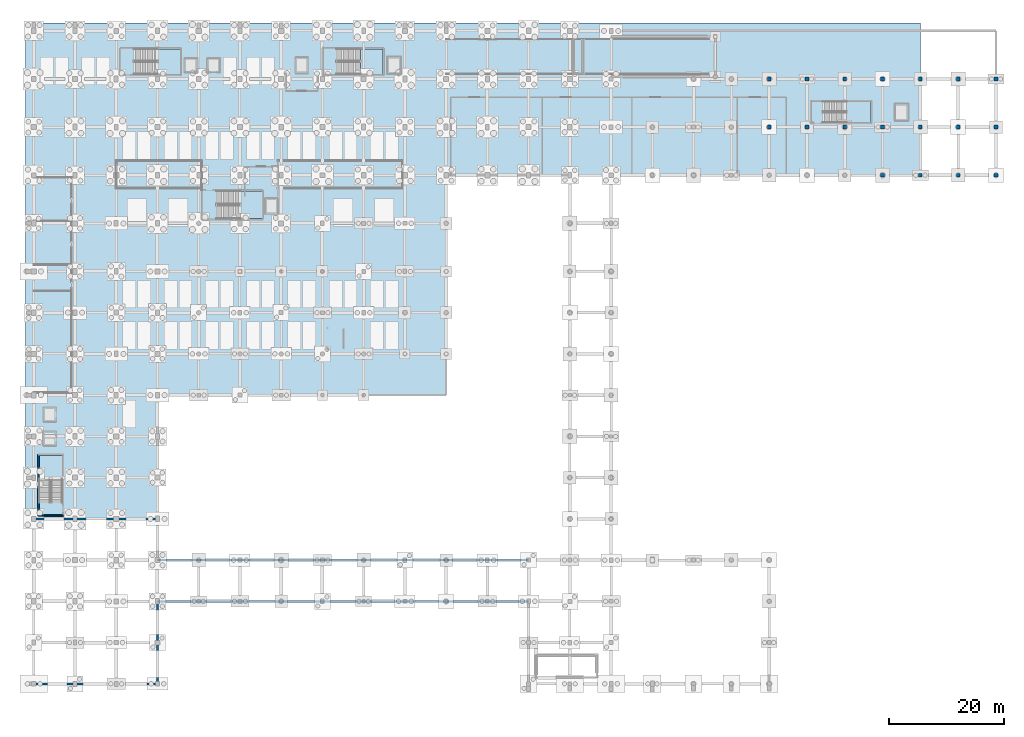
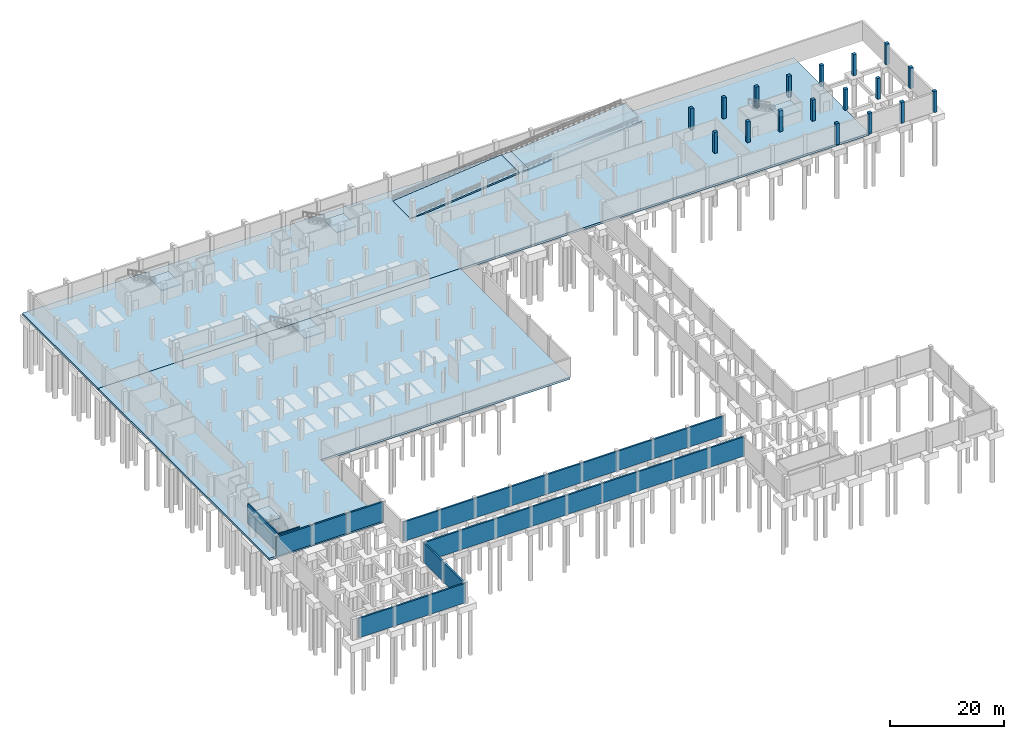
# One storey, part 19 of 35: 18 columns, 10 slabs, 7 walls, 5 elements without a shape of their own.
"""IFC4 building model written with IfcOpenShell, lengths in metres."""

from ifc_helpers import new_model, si_unit, direction, frame, frame_2d, origin, origin_2d, place, context, subcontext, project, spatial, polyline, rectangle, outline, extrude, material, layer, layer_set, material_profile, profile_set, type_object, element, aggregate, save


model = new_model("IFC4")

# Units and contexts
model_context = context("Model", 3, precision=1e-05, world=origin(), true_north=direction((0.0, 1.0)))
body_context = subcontext(model_context, "Body", "Model", "MODEL_VIEW")
ifc_project = project(units=[si_unit("LENGTHUNIT", "METRE"), si_unit("AREAUNIT", "SQUARE_METRE"), si_unit("VOLUMEUNIT", "CUBIC_METRE"), si_unit("PLANEANGLEUNIT", "RADIAN"), si_unit("MASSUNIT", "GRAM", prefix="KILO")], contexts=[model_context])

# Site, building, storey
site_placement = place(None, origin())
site = spatial("IfcSite", under=ifc_project, at=site_placement, CompositionType="ELEMENT")
building_placement = place(site_placement, origin())
building = spatial("IfcBuilding", under=site, at=building_placement, Name="Kalluvel Institute of Natural Sciences", CompositionType="ELEMENT")
storey_placement = place(building_placement, frame((0.0, 0.0, -4.5)))
storey = spatial("IfcBuildingStorey", under=building, at=storey_placement, Name="B1", CompositionType="ELEMENT", Elevation=-4.5)

# Columns
ifc_material = material(Name="Concrete M40", Category="concrete")
ifc_material_profile = material_profile(ifc_material, rectangle(XDim=0.64990234375, YDim=0.64990234375, at=origin_2d()), Name="RC 650x650")
ifc_profile_set = profile_set([ifc_material_profile], Name="Concrete M40")
column_type = type_object("IfcColumnType", Name="COL-RC650", PredefinedType="COLUMN", material=ifc_profile_set)
for number, where, z_axis, x_axis, name in (
    (1, (142.39990234375, 111.199951171875, 0.0), (0.0, 0.0, 1.0), (1.0, 0.0, 0.0), "B1 structural column COL-B1-X1424-Y1112"),
    (2, (142.39990234375, 119.60009765625, 0.0), (0.0, 0.0, 1.0), (1.0, 0.0, 0.0), "B1 structural column COL-B1-X1424-Y1196"),
    (3, (149.0, 111.199951171875, 0.0), (0.0, 0.0, 1.0), (1.0, 0.0, 0.0), "B1 structural column COL-B1-X1490-Y1112"),
    (4, (149.0, 119.60009765625, 0.0), (0.0, 0.0, 1.0), (1.0, 0.0, 0.0), "B1 structural column COL-B1-X1490-Y1196"),
    (5, (155.60009765625, 111.199951171875, 0.0), (0.0, 0.0, 1.0), (1.0, 0.0, 0.0), "B1 structural column COL-B1-X1556-Y1112"),
    (6, (155.60009765625, 119.60009765625, 0.0), (0.0, 0.0, 1.0), (1.0, 0.0, 0.0), "B1 structural column COL-B1-X1556-Y1196"),
    (7, (162.199951171875, 102.800048828125, 0.0), (0.0, 0.0, 1.0), (1.0, 0.0, 0.0), "B1 structural column COL-B1-X1622-Y1028"),
    (8, (162.199951171875, 111.199951171875, 0.0), (0.0, 0.0, 1.0), (1.0, 0.0, 0.0), "B1 structural column COL-B1-X1622-Y1112"),
    (9, (162.199951171875, 119.60009765625, 0.0), (0.0, 0.0, 1.0), (1.0, 0.0, 0.0), "B1 structural column COL-B1-X1622-Y1196"),
    (10, (168.800048828125, 102.800048828125, 0.0), (0.0, 0.0, 1.0), (1.0, 0.0, 0.0), "B1 structural column COL-B1-X1688-Y1028"),
    (11, (168.800048828125, 111.199951171875, 0.0), (0.0, 0.0, 1.0), (1.0, 0.0, 0.0), "B1 structural column COL-B1-X1688-Y1112"),
    (12, (168.800048828125, 119.60009765625, 0.0), (0.0, 0.0, 1.0), (1.0, 0.0, 0.0), "B1 structural column COL-B1-X1688-Y1196"),
    (13, (175.39990234375, 102.800048828125, 0.0), (0.0, 0.0, 1.0), (1.0, 0.0, 0.0), "B1 structural column COL-B1-X1754-Y1028"),
    (14, (175.39990234375, 111.199951171875, 0.0), (0.0, 0.0, 1.0), (1.0, 0.0, 0.0), "B1 structural column COL-B1-X1754-Y1112"),
    (15, (175.39990234375, 119.60009765625, 0.0), (0.0, 0.0, 1.0), (1.0, 0.0, 0.0), "B1 structural column COL-B1-X1754-Y1196"),
    (16, (182.0, 102.800048828125, 0.0), (0.0, 0.0, 1.0), (1.0, 0.0, 0.0), "B1 structural column COL-B1-X1820-Y1028"),
    (17, (182.0, 111.199951171875, 0.0), (0.0, 0.0, 1.0), (1.0, 0.0, 0.0), "B1 structural column COL-B1-X1820-Y1112"),
    (18, (182.0, 119.60009765625, 0.0), (0.0, 0.0, 1.0), (1.0, 0.0, 0.0), "B1 structural column COL-B1-X1820-Y1196"),
):
    element("IfcColumn", number, at=place(storey_placement, frame(where, z_axis=z_axis, x_axis=x_axis)), inside=storey, type_object=column_type, Name=name, PredefinedType="COLUMN", context=body_context, shape_type="SweptSolid", body=[
        extrude(rectangle(XDim=0.64990234375, YDim=0.64990234375, at=origin_2d()), origin(), (0.0, 0.0, 1.0), 4.5),
    ])

# Slabs
ifc_layer_1 = layer(ifc_material, 0.300048828125)
ifc_layer_set_1 = layer_set([ifc_layer_1], Name="Concrete M40")
slab_type_1 = type_object("IfcSlabType", Name="RML-VEH-300", PredefinedType="LANDING", material=ifc_layer_set_1)
slab_1_placement = place(storey_placement, frame((0.0, 0.0, 1.89990234375)))
element("IfcSlab", 19, at=slab_1_placement, inside=storey, type_object=slab_type_1, Name="Car park vehicle ramp RV-01 mid-landing slab 1", PredefinedType="LANDING", context=body_context, shape_type="SweptSolid", body=[
    extrude(outline(polyline([(107.969970703125, 120.39990234375), (110.030029296875, 120.39990234375), (110.030029296875, 126.60009765625), (107.969970703125, 126.60009765625), (107.969970703125, 120.39990234375)])), origin(), (0.0, 0.0, 1.0), 0.300048828125),
])
ifc_layer_2 = layer(ifc_material, 0.449951171875)
ifc_layer_set_2 = layer_set([ifc_layer_2], Name="Concrete M40")
slab_type_2 = type_object("IfcSlabType", Name="SLB-BASE-450", PredefinedType="BASESLAB", material=ifc_layer_set_2)
slab_2_placement = place(storey_placement, frame((0.0, 0.0, -0.449951171875)))
element("IfcSlab", 20, at=slab_2_placement, inside=storey, type_object=slab_type_2, Name="B1 North Wet-Wing and Sub-Fab Base Slab", PredefinedType="BASESLAB", context=body_context, shape_type="SweptSolid", body=[
    extrude(outline(polyline([(12.60009765625, 102.800048828125), (168.800048828125, 102.800048828125), (168.800048828125, 129.39990234375), (12.60009765625, 129.39990234375), (12.60009765625, 102.800048828125)])), origin(), (0.0, 0.0, 1.0), 0.449951171875),
])
slab_3_placement = place(storey_placement, frame((0.0, 0.0, -0.449951171875)))
element("IfcSlab", 21, at=slab_3_placement, inside=storey, type_object=slab_type_2, Name="B1 Dry-Wing and Atrium Base Slab", PredefinedType="BASESLAB", context=body_context, shape_type="SweptSolid", body=[
    extrude(outline(polyline([(35.60009765625, 42.800048828125), (12.60009765625, 42.800048828125), (12.60009765625, 64.39990234375), (12.60009765625, 102.800048828125), (86.0, 102.800048828125), (86.0, 64.39990234375), (35.60009765625, 64.39990234375), (35.60009765625, 42.800048828125)])), origin(), (0.0, 0.0, 1.0), 0.449951171875),
])
ifc_layer_3 = layer(ifc_material, 0.300048828125)
ifc_layer_set_3 = layer_set([ifc_layer_3], Name="Concrete M40")
slab_type_3 = type_object("IfcSlabType", Name="SLB-VRAMP-300", PredefinedType="FLOOR", material=ifc_layer_set_3)
slab_4_placement = place(storey_placement, frame((85.97509765625, 120.39990234375, 0.0), z_axis=(-0.099279002416, 0.0, 0.995059636243), x_axis=(0.995059636243, 0.0, 0.099279002416)))
element("IfcSlab", 22, at=slab_4_placement, inside=storey, type_object=slab_type_3, Name="Car park vehicle ramp RV-01 structural slab 1", PredefinedType="FLOOR", context=body_context, shape_type="SweptSolid", body=[
    extrude(outline(polyline([(0.0, 0.0), (22.159279589272103, 0.0), (22.159279589272103, 6.2001953125), (0.0, 6.2001953125), (0.0, 0.0)])), origin(), (0.0, 0.0, -1.0), 0.300048828125),
])
slab_5_placement = place(storey_placement, frame((109.97509765625, 120.39990234375, 2.199951171875), z_axis=(-0.099292926159, 0.0, 0.995058246946), x_axis=(0.995058246946, 0.0, 0.099292926159)))
element("IfcSlab", 23, at=slab_5_placement, inside=storey, type_object=slab_type_3, Name="Car park vehicle ramp RV-01 structural slab 2", PredefinedType="FLOOR", context=body_context, shape_type="SweptSolid", body=[
    extrude(outline(polyline([(0.0, 0.0), (23.164276823239188, 0.0), (23.164276823239188, 6.2001953125), (0.0, 6.2001953125), (0.0, 0.0)])), origin(), (0.0, 0.0, -1.0), 0.300048828125),
])

# Stair, slab
stair_type_1 = type_object("IfcStairType", Name="STR-ST12-45", PredefinedType="HALF_TURN_STAIR", material=ifc_material)
stair_1_placement = place(storey_placement, origin())
stair_1 = element("IfcStair", 24, at=stair_1_placement, inside=storey, type_object=stair_type_1, Name="B1 Wet Wing West Protected Exit Stair ST1", PredefinedType="HALF_TURN_STAIR")
ifc_layer_4 = layer(ifc_material, 0.199951171875)
ifc_layer_set_4 = layer_set([ifc_layer_4], Name="Concrete M40")
slab_type_4 = type_object("IfcSlabType", Name="SLD-ST12", PredefinedType="LANDING", material=ifc_layer_set_4)
slab_6_placement = place(storey_placement, frame((0.0, 0.0, 2.050048828125)))
slab_6 = element("IfcSlab", 25, at=slab_6_placement, type_object=slab_type_4, Name="S1-45 landing 1", PredefinedType="LANDING", context=body_context, shape_type="SweptSolid", body=[
    extrude(outline(polyline([(35.632080078125, 120.39990234375), (39.60009765625, 120.39990234375), (39.60009765625, 124.8701171875), (35.632080078125, 124.8701171875), (35.632080078125, 120.39990234375)])), origin(), (0.0, 0.0, 1.0), 0.199951171875),
])
aggregate(stair_1, [slab_6])

stair_2_placement = place(storey_placement, origin())
stair_2 = element("IfcStair", 26, at=stair_2_placement, inside=storey, type_object=stair_type_1, Name="B1 Wet Wing East Protected Exit Stair ST2", PredefinedType="HALF_TURN_STAIR")
slab_7_placement = place(storey_placement, frame((0.0, 0.0, 2.050048828125)))
slab_7 = element("IfcSlab", 27, at=slab_7_placement, type_object=slab_type_4, Name="S1-45 landing 1", PredefinedType="LANDING", context=body_context, shape_type="SweptSolid", body=[
    extrude(outline(polyline([(71.031982421875, 120.39990234375), (75.0, 120.39990234375), (75.0, 124.8701171875), (71.031982421875, 124.8701171875), (71.031982421875, 120.39990234375)])), origin(), (0.0, 0.0, 1.0), 0.199951171875),
])
aggregate(stair_2, [slab_7])

stair_type_2 = type_object("IfcStairType", Name="STR-ST3-45", PredefinedType="HALF_TURN_STAIR", material=ifc_material)
stair_3_placement = place(storey_placement, origin())
stair_3 = element("IfcStair", 28, at=stair_3_placement, inside=storey, type_object=stair_type_2, Name="B1 Central Fire-Tower Protected Stair ST3", PredefinedType="HALF_TURN_STAIR")
ifc_layer_5 = layer(ifc_material, 0.199951171875)
ifc_layer_set_5 = layer_set([ifc_layer_5], Name="Concrete M40")
slab_type_5 = type_object("IfcSlabType", Name="SLD-ST3", PredefinedType="LANDING", material=ifc_layer_set_5)
slab_8_placement = place(storey_placement, frame((0.0, 0.0, 2.050048828125)))
slab_8 = element("IfcSlab", 29, at=slab_8_placement, type_object=slab_type_5, Name="S3-45 landing 1", PredefinedType="LANDING", context=body_context, shape_type="SweptSolid", body=[
    extrude(outline(polyline([(50.08203125, 95.199951171875), (53.89990234375, 95.199951171875), (53.89990234375, 100.070068359375), (50.08203125, 100.070068359375), (50.08203125, 95.199951171875)])), origin(), (0.0, 0.0, 1.0), 0.199951171875),
])
aggregate(stair_3, [slab_8])

stair_type_3 = type_object("IfcStairType", Name="STR-ST4-45", PredefinedType="HALF_TURN_STAIR", material=ifc_material)
stair_4_placement = place(storey_placement, origin())
stair_4 = element("IfcStair", 30, at=stair_4_placement, inside=storey, type_object=stair_type_3, Name="B1 Dry Wing Protected Exit Stair ST4", PredefinedType="HALF_TURN_STAIR")
ifc_layer_6 = layer(ifc_material, 0.199951171875)
ifc_layer_set_6 = layer_set([ifc_layer_6], Name="Concrete M40")
slab_type_6 = type_object("IfcSlabType", Name="SLD-ST4", PredefinedType="LANDING", material=ifc_layer_set_6)
slab_9_placement = place(storey_placement, frame((0.0, 0.0, 2.050048828125)))
slab_9 = element("IfcSlab", 31, at=slab_9_placement, type_object=slab_type_6, Name="S4-45 landing 1", PredefinedType="LANDING", context=body_context, shape_type="SweptSolid", body=[
    extrude(outline(polyline([(19.0, 49.781982421875), (19.0, 53.89990234375), (14.929931640625, 53.89990234375), (14.929931640625, 49.781982421875), (19.0, 49.781982421875)])), origin(), (0.0, 0.0, 1.0), 0.199951171875),
])
aggregate(stair_4, [slab_9])

stair_type_4 = type_object("IfcStairType", Name="STR-ST5-45", PredefinedType="HALF_TURN_STAIR", material=ifc_material)
stair_5_placement = place(storey_placement, origin())
stair_5 = element("IfcStair", 32, at=stair_5_placement, inside=storey, type_object=stair_type_4, Name="B1 Cleanroom Pavilion Exit Stair ST5", PredefinedType="HALF_TURN_STAIR")
ifc_layer_7 = layer(ifc_material, 0.199951171875)
ifc_layer_set_7 = layer_set([ifc_layer_7], Name="Concrete M40")
slab_type_7 = type_object("IfcSlabType", Name="SLD-ST5", PredefinedType="LANDING", material=ifc_layer_set_7)
slab_10_placement = place(storey_placement, frame((0.0, 0.0, 2.050048828125)))
slab_10 = element("IfcSlab", 33, at=slab_10_placement, type_object=slab_type_7, Name="S5-45 landing 1", PredefinedType="LANDING", context=body_context, shape_type="SweptSolid", body=[
    extrude(outline(polyline([(155.931884765625, 112.0), (160.199951171875, 112.0), (160.199951171875, 115.669921875), (155.931884765625, 115.669921875), (155.931884765625, 112.0)])), origin(), (0.0, 0.0, 1.0), 0.199951171875),
])
aggregate(stair_5, [slab_10])

# Walls
ifc_layer_8 = layer(ifc_material, 0.25)
ifc_layer_set_8 = layer_set([ifc_layer_8], Name="Concrete M40")
wall_type_1 = type_object("IfcWallType", Name="WL-CORE-250", PredefinedType="SHEAR", material=ifc_layer_set_8)
wall_1_placement = place(storey_placement, frame((14.81494140625, 43.385009765625, 0.0), z_axis=(0.0, 0.0, 1.0), x_axis=(1.0, 0.0, 0.0)))
element("IfcWall", 34, at=wall_1_placement, inside=storey, type_object=wall_type_1, Name="ST4 B1 core wall S", PredefinedType="SHEAR", context=body_context, shape_type="SweptSolid", body=[
    extrude(rectangle(XDim=4.300048828125, YDim=0.25, at=frame_2d((2.14990234375, 0.0))), origin(), (0.0, 0.0, 1.0), 4.195068359375),
])
wall_2_placement = place(storey_placement, frame((14.81494140625, 54.014892578125, 0.0), z_axis=(0.0, 0.0, 1.0), x_axis=(0.0, -1.0, 0.0)))
element("IfcWall", 35, at=wall_2_placement, inside=storey, type_object=wall_type_1, Name="ST4 B1 core wall W", PredefinedType="SHEAR", context=body_context, shape_type="SweptSolid", body=[
    extrude(rectangle(XDim=10.6298828125, YDim=0.25, at=frame_2d((5.31494140625, 0.0))), origin(), (0.0, 0.0, 1.0), 4.195068359375),
])
ifc_layer_9 = layer(ifc_material, 0.35009765625)
ifc_layer_set_9 = layer_set([ifc_layer_9], Name="Concrete M40")
wall_type_2 = type_object("IfcWallType", Name="WL-RET-350", PredefinedType="USERDEFINED", material=ifc_layer_set_9)
wall_3_placement = place(storey_placement, frame((35.60009765625, 28.39990234375, 0.0), z_axis=(0.0, 0.0, 1.0), x_axis=(1.0, 0.0, 0.0)))
element("IfcWall", 36, at=wall_3_placement, inside=storey, type_object=wall_type_2, Name="Basement perimeter plinth retaining wall 9", ObjectType="RETAINING WALL", PredefinedType="USERDEFINED", context=body_context, shape_type="SweptSolid", body=[
    extrude(rectangle(XDim=64.7998046875, YDim=0.35009765625, at=frame_2d((32.39990234375, 0.0))), origin(), (0.0, 0.0, 1.0), 4.159912109375),
])
wall_4_placement = place(storey_placement, frame((35.60009765625, 14.0, 0.0), z_axis=(0.0, 0.0, 1.0), x_axis=(0.0, 1.0, 0.0)))
element("IfcWall", 37, at=wall_4_placement, inside=storey, type_object=wall_type_2, Name="Basement perimeter plinth retaining wall 10", ObjectType="RETAINING WALL", PredefinedType="USERDEFINED", context=body_context, shape_type="SweptSolid", body=[
    extrude(rectangle(XDim=14.39990234375, YDim=0.35009765625, at=frame_2d((7.199951171875, 0.0))), origin(), (0.0, 0.0, 1.0), 4.159912109375),
])
wall_5_placement = place(storey_placement, frame((14.0, 14.0, 0.0), z_axis=(0.0, 0.0, 1.0), x_axis=(1.0, 0.0, 0.0)))
element("IfcWall", 38, at=wall_5_placement, inside=storey, type_object=wall_type_2, Name="Basement perimeter plinth retaining wall 11", ObjectType="RETAINING WALL", PredefinedType="USERDEFINED", context=body_context, shape_type="SweptSolid", body=[
    extrude(rectangle(XDim=21.60009765625, YDim=0.35009765625, at=frame_2d((10.800048828125, 0.0))), origin(), (0.0, 0.0, 1.0), 4.159912109375),
])
wall_6_placement = place(storey_placement, frame((35.60009765625, 35.60009765625, 0.0), z_axis=(0.0, 0.0, 1.0), x_axis=(1.0, 0.0, 0.0)))
element("IfcWall", 39, at=wall_6_placement, inside=storey, type_object=wall_type_2, Name="Basement perimeter plinth retaining wall 17", ObjectType="RETAINING WALL", PredefinedType="USERDEFINED", context=body_context, shape_type="SweptSolid", body=[
    extrude(rectangle(XDim=64.7998046875, YDim=0.35009765625, at=frame_2d((32.39990234375, 0.0))), origin(), (0.0, 0.0, 1.0), 4.159912109375),
])
wall_7_placement = place(storey_placement, frame((14.0, 42.800048828125, 0.0), z_axis=(0.0, 0.0, 1.0), x_axis=(1.0, 0.0, 0.0)))
element("IfcWall", 40, at=wall_7_placement, inside=storey, type_object=wall_type_2, Name="Basement perimeter plinth retaining wall 19", ObjectType="RETAINING WALL", PredefinedType="USERDEFINED", context=body_context, shape_type="SweptSolid", body=[
    extrude(rectangle(XDim=21.60009765625, YDim=0.35009765625, at=frame_2d((10.800048828125, 0.0))), origin(), (0.0, 0.0, 1.0), 4.159912109375),
])

save(model, "model.ifc")
